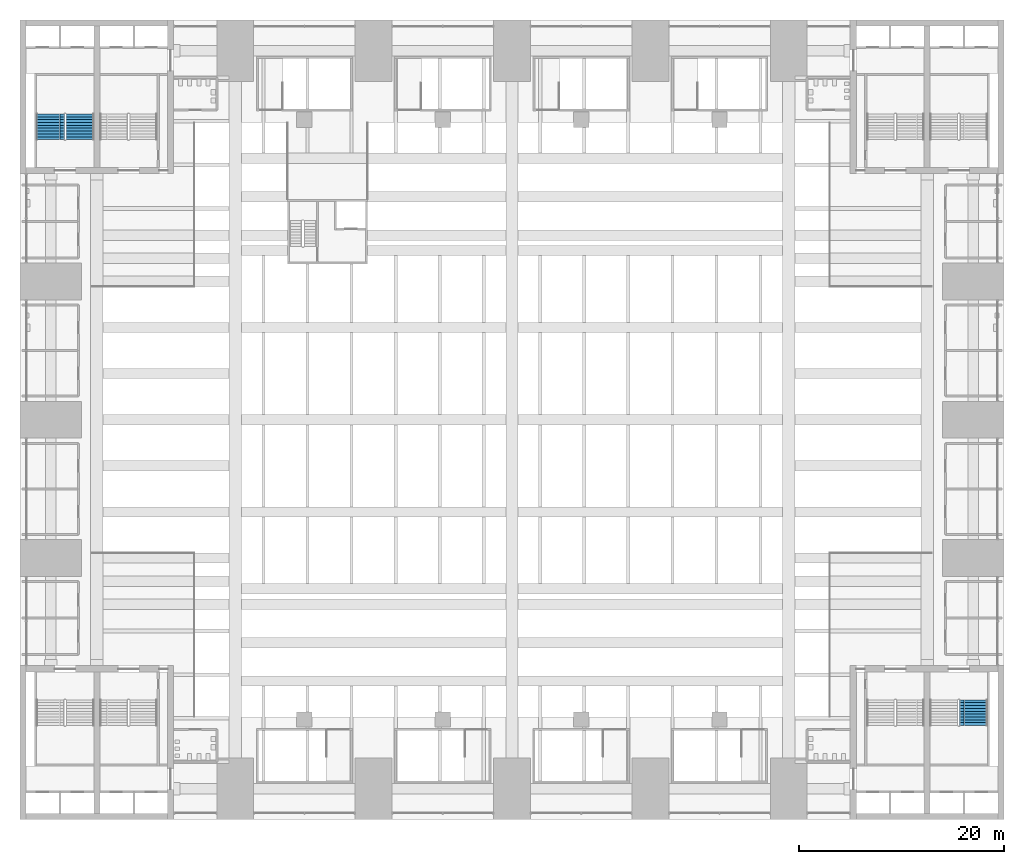
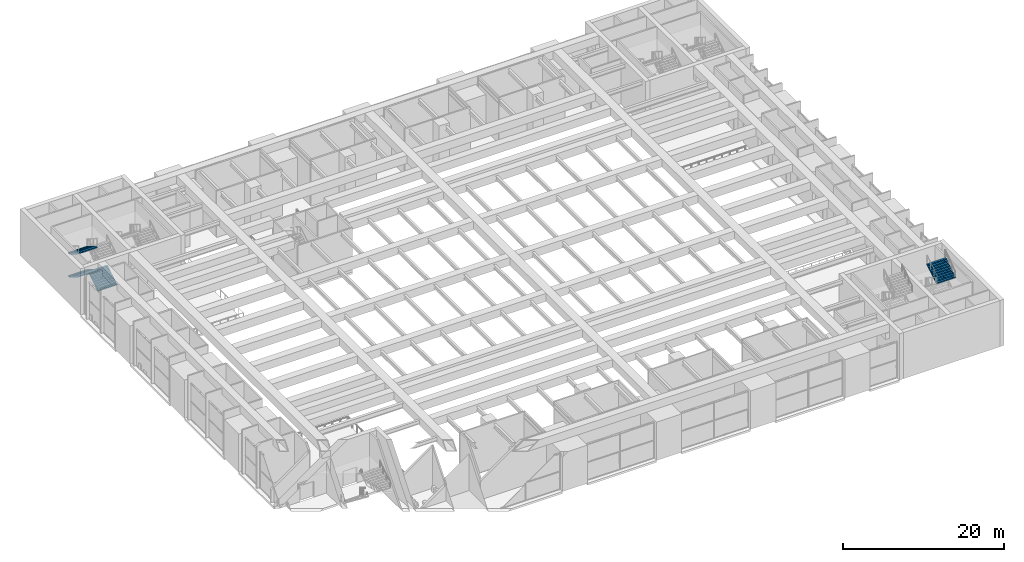
# One storey, part 36 of 45: 4 stair flights, 2 elements without a shape of their own.
"""IFC4 building model written with IfcOpenShell, lengths in metres."""

import ifcopenshell
import ifcopenshell.guid

model = None  # the IFC model being written
_history = None  # IfcOwnerHistory: only IFC2X3 demands one
_inside = {}  # id of a spatial element -> (the spatial element, [elements in it])
_under = {}  # id of a project, library or spatial element -> (it, [spatial elements below it])
_declared = {}  # id of a project -> (the project, [libraries it declares])
_typed = {}  # id of a type object -> (the type object, [elements of that type])
_made_of = {}  # id of a material, layer set ... -> (it, [elements and type objects made of it])


def new_model(schema):
    """Start an empty IFC model of exactly this schema.

    Asked for "IFC4X3", IfcOpenShell would pick the latest addendum, in which some entities
    have other attributes; the version numbers below select the first issue.
    IFC2X3 requires an IfcOwnerHistory on every rooted entity: one is made here for all.
    """
    global model, _history
    if schema == "IFC4X3":
        model = ifcopenshell.file(schema_version=(4, 3, 0, 0))
    else:
        model = ifcopenshell.file(schema=schema)
    _inside.clear()
    _under.clear()
    _declared.clear()
    _typed.clear()
    _made_of.clear()
    _history = None
    if model.schema == "IFC2X3":
        org = make("IfcOrganization", Name="unknown")
        user = make(
            "IfcPersonAndOrganization",
            ThePerson=make("IfcPerson", FamilyName="unknown"),
            TheOrganization=org,
        )
        app = make(
            "IfcApplication",
            ApplicationDeveloper=org,
            Version="unknown",
            ApplicationFullName="unknown",
            ApplicationIdentifier="unknown",
        )
        _history = make(
            "IfcOwnerHistory",
            OwningUser=user,
            OwningApplication=app,
            ChangeAction="ADDED",
            CreationDate=0,
        )
    return model


def make(cls, **values):
    """One entity of the class cls with the attributes given. An attribute that is None is left unset."""
    return model.create_entity(
        cls, **{name: value for name, value in values.items() if value is not None}
    )


def rooted(cls, **values):
    """An entity with a GlobalId (a new one), such as an element, a storey or a relation."""
    return make(cls, GlobalId=ifcopenshell.guid.new(), OwnerHistory=_history, **values)


def si_unit(unit_type, name, prefix=None):
    """IfcSIUnit, for example si_unit("LENGTHUNIT", "METRE", prefix="MILLI")."""
    return make("IfcSIUnit", UnitType=unit_type, Prefix=prefix, Name=name)


def assignment(units):
    """IfcUnitAssignment: the units of a project."""
    return None if units is None else make("IfcUnitAssignment", Units=units)


def point(xyz):
    """IfcCartesianPoint."""
    return None if xyz is None else make("IfcCartesianPoint", Coordinates=xyz)


def direction(xyz):
    """IfcDirection."""
    return None if xyz is None else make("IfcDirection", DirectionRatios=xyz)


def frame(location, z_axis=None, x_axis=None):
    """IfcAxis2Placement3D, a coordinate frame: its origin and axes. An axis left out is left unset."""
    return make(
        "IfcAxis2Placement3D",
        Location=point(location),
        Axis=direction(z_axis),
        RefDirection=direction(x_axis),
    )


def origin():
    """The frame at (0, 0, 0) with its axes left unset."""
    return frame((0.0, 0.0, 0.0))


def place(relative_to, where):
    """IfcLocalPlacement: puts the frame where relative to a parent placement (None: the world)."""
    return make(
        "IfcLocalPlacement", PlacementRelTo=relative_to, RelativePlacement=where
    )


def context(
    kind, dimensions, precision=None, world=None, true_north=None, identifier=None
):
    """IfcGeometricRepresentationContext, for example the 3D "Model" context."""
    return make(
        "IfcGeometricRepresentationContext",
        ContextIdentifier=identifier,
        ContextType=kind,
        CoordinateSpaceDimension=dimensions,
        Precision=precision,
        WorldCoordinateSystem=world,
        TrueNorth=true_north,
    )


def subcontext(parent, identifier, kind, view, scale=None):
    """IfcGeometricRepresentationSubContext, for example "Body" below "Model"."""
    return make(
        "IfcGeometricRepresentationSubContext",
        ContextIdentifier=identifier,
        ContextType=kind,
        ParentContext=parent,
        TargetScale=scale,
        TargetView=view,
    )


def project(units=None, contexts=None):
    """IfcProject with its units and contexts."""
    return rooted(
        "IfcProject",
        Name="project",
        RepresentationContexts=contexts,
        UnitsInContext=assignment(units),
    )


def spatial(cls, under=None, at=None, **own):
    """A site, building, storey or space (cls), placed at a placement, below another one or the project."""
    s = rooted(cls, ObjectPlacement=at, **own)
    if under is not None:
        _under.setdefault(under.id(), (under, []))[1].append(s)
    return s


def polyline(points):
    """IfcPolyline through the points."""
    return make("IfcPolyline", Points=[point(p) for p in points])


def outline(outer, holes=None, kind="AREA"):
    """IfcArbitraryClosedProfileDef: a profile drawn as a closed curve; with holes, ...WithVoids."""
    if holes is None:
        return make("IfcArbitraryClosedProfileDef", ProfileType=kind, OuterCurve=outer)
    return make(
        "IfcArbitraryProfileDefWithVoids",
        ProfileType=kind,
        OuterCurve=outer,
        InnerCurves=holes,
    )


def extrude(swept, where, along, depth):
    """IfcExtrudedAreaSolid: the profile swept, set in the frame where, extruded along a direction by depth."""
    return make(
        "IfcExtrudedAreaSolid",
        SweptArea=swept,
        Position=where,
        ExtrudedDirection=direction(along),
        Depth=depth,
    )


def shape(context_of_items, identifier, shape_type, items):
    """IfcShapeRepresentation: the items that make up one representation, for example the "Body"."""
    return make(
        "IfcShapeRepresentation",
        ContextOfItems=context_of_items,
        RepresentationIdentifier=identifier,
        RepresentationType=shape_type,
        Items=items,
    )


def material(Name=None, Category=None):
    """IfcMaterial."""
    return make("IfcMaterial", Name=Name, Category=Category)


def made_of(thing, what):
    """Note that an element or type object is made of a material, layer set ...; save() writes the relation."""
    if what is not None:
        _made_of.setdefault(what.id(), (what, []))[1].append(thing)
    return thing


def type_object(cls, material=None, **own):
    """A type object (cls), such as IfcWallType, which elements share."""
    return made_of(rooted(cls, **own), material)


def element(
    cls,
    number,
    at=None,
    inside=None,
    cuts=None,
    type_object=None,
    material=None,
    context=None,
    identifier="Body",
    shape_type=None,
    held_by="IfcProductDefinitionShape",
    body=None,
    shapes=None,
    **own,
):
    """One element of the class cls, such as IfcWall. Its Tag is "e" and its number.

    at: its placement. inside: the storey or other place that contains it. cuts: it is an
    opening in that element (IfcRelVoidsElement). A single representation is given by context,
    identifier, shape_type and body (its items); several are given by shapes. held_by: the class
    of the entity that holds the representations. save() writes the other relations.
    """
    e = rooted(cls, Tag="e%d" % number, ObjectPlacement=at, **own)
    if body is not None:
        shapes = [shape(context, identifier, shape_type, body)]
    if shapes is not None:
        e.Representation = make(held_by, Representations=shapes)
    if inside is not None:
        _inside.setdefault(inside.id(), (inside, []))[1].append(e)
    if cuts is not None:
        rooted(
            "IfcRelVoidsElement", RelatingBuildingElement=cuts, RelatedOpeningElement=e
        )
    if type_object is not None:
        _typed.setdefault(type_object.id(), (type_object, []))[1].append(e)
    return made_of(e, material)


def aggregate(whole, parts):
    """IfcRelAggregates: a whole, such as a stair, and the parts it consists of."""
    return rooted("IfcRelAggregates", RelatingObject=whole, RelatedObjects=parts)


def save(model, path):
    """Write the relations noted so far, then the file.

    IfcRelAggregates (storeys below a building ...), IfcRelContainedInSpatialStructure (elements
    in a storey), IfcRelDefinesByType, IfcRelAssociatesMaterial and IfcRelDeclares: one each for
    every whole, place, type object, material and project.
    """
    for whole, parts in _under.values():
        aggregate(whole, parts)
    for where, things in _inside.values():
        rooted(
            "IfcRelContainedInSpatialStructure",
            RelatedElements=things,
            RelatingStructure=where,
        )
    for kind, things in _typed.values():
        rooted("IfcRelDefinesByType", RelatedObjects=things, RelatingType=kind)
    for what, things in _made_of.values():
        rooted("IfcRelAssociatesMaterial", RelatedObjects=things, RelatingMaterial=what)
    for by, libraries in _declared.values():
        rooted("IfcRelDeclares", RelatingContext=by, RelatedDefinitions=libraries)
    model.write(path)


model = new_model("IFC4")

# Units and contexts
model_context = context("Model", 3, precision=1e-05, world=origin(), true_north=direction((0.0, 1.0)))
body_context = subcontext(model_context, "Body", "Model", "MODEL_VIEW")
ifc_project = project(units=[si_unit("LENGTHUNIT", "METRE"), si_unit("AREAUNIT", "SQUARE_METRE"), si_unit("VOLUMEUNIT", "CUBIC_METRE"), si_unit("PLANEANGLEUNIT", "RADIAN"), si_unit("MASSUNIT", "GRAM", prefix="KILO")], contexts=[model_context])

# Site, building, storey
site_placement = place(None, origin())
site = spatial("IfcSite", under=ifc_project, at=site_placement, CompositionType="ELEMENT")
building_placement = place(site_placement, origin())
building = spatial("IfcBuilding", under=site, at=building_placement, Name="Corbelhall Arena Tower", CompositionType="ELEMENT")
storey_placement = place(building_placement, frame((0.0, 0.0, 37.0)))
storey = spatial("IfcBuildingStorey", under=building, at=storey_placement, Name="L05", CompositionType="ELEMENT", Elevation=37.0)

# Stair, stair flights
ifc_material = material(Name="Reinforced concrete C40/50", Category="concrete")
stair_type = type_object("IfcStairType", Name="AR-EXIT-STAIR", PredefinedType="HALF_TURN_STAIR", material=ifc_material)
stair_1_placement = place(storey_placement, origin())
stair_1 = element("IfcStair", 1, at=stair_1_placement, inside=storey, type_object=stair_type, Name="L05 exit stair AS4", PredefinedType="HALF_TURN_STAIR")
stair_flight_type = type_object("IfcStairFlightType", Name="AR-EXIT-FLIGHT", PredefinedType="STRAIGHT", material=ifc_material)
stair_flight_1_placement = place(storey_placement, frame((-42.159912109375, 27.320068359375, 0.0), z_axis=(0.0, 0.0, 1.0), x_axis=(0.0, 1.0, 0.0)))
stair_flight_1 = element("IfcStairFlight", 2, at=stair_flight_1_placement, type_object=stair_flight_type, Name="AS4 flight 1", NumberOfRisers=10, NumberOfTreads=9, PredefinedType="STRAIGHT", RiserHeight=0.175, TreadLength=0.28, context=body_context, shape_type="SweptSolid", body=[
    extrude(outline(polyline([(0.0, 0.0), (0.0, 0.175048828125), (0.280029296875, 0.175048828125), (0.280029296875, 0.35009765625), (0.56005859375, 0.35009765625), (0.56005859375, 0.52490234375), (0.840087890625, 0.52490234375), (0.840087890625, 0.699951171875), (1.1201171875, 0.699951171875), (1.1201171875, 0.875), (1.39990234375, 0.875), (1.39990234375, 1.050048828125), (1.679931640625, 1.050048828125), (1.679931640625, 1.22509765625), (1.9599609375, 1.22509765625), (1.9599609375, 1.39990234375), (2.239990234375, 1.39990234375), (2.239990234375, 1.574951171875), (2.52001953125, 1.574951171875), (2.52001953125, 1.75), (2.52001953125, 1.398193359375), (0.28271484375, 0.0), (0.0, 0.0)])), frame((0.0, 1.35986328125, 0.0), z_axis=(0.0, -1.0, 0.0), x_axis=(1.0, 0.0, 0.0)), (0.0, 0.0, 1.0), 0.449951171875),
    extrude(outline(polyline([(0.0, 0.0), (0.0, 0.175048828125), (0.280029296875, 0.175048828125), (0.280029296875, 0.35009765625), (0.56005859375, 0.35009765625), (0.56005859375, 0.52490234375), (0.840087890625, 0.52490234375), (0.840087890625, 0.699951171875), (1.1201171875, 0.699951171875), (1.1201171875, 0.875), (1.39990234375, 0.875), (1.39990234375, 1.050048828125), (1.679931640625, 1.050048828125), (1.679931640625, 1.22509765625), (1.9599609375, 1.22509765625), (1.9599609375, 1.39990234375), (2.239990234375, 1.39990234375), (2.239990234375, 1.574951171875), (2.52001953125, 1.574951171875), (2.52001953125, 1.75), (2.52001953125, 1.398193359375), (0.28271484375, 0.0), (0.0, 0.0)])), frame((0.0, 0.906005859375, 0.0), z_axis=(0.0, -1.0, 0.0), x_axis=(1.0, 0.0, 0.0)), (0.0, 0.0, 1.0), 0.25537109375),
    extrude(outline(polyline([(0.0, 0.0), (0.0, 0.175048828125), (0.280029296875, 0.175048828125), (0.280029296875, 0.35009765625), (0.56005859375, 0.35009765625), (0.56005859375, 0.52490234375), (0.840087890625, 0.52490234375), (0.840087890625, 0.699951171875), (1.1201171875, 0.699951171875), (1.1201171875, 0.875), (1.39990234375, 0.875), (1.39990234375, 1.050048828125), (1.679931640625, 1.050048828125), (1.679931640625, 1.22509765625), (1.9599609375, 1.22509765625), (1.9599609375, 1.39990234375), (2.239990234375, 1.39990234375), (2.239990234375, 1.574951171875), (2.52001953125, 1.574951171875), (2.52001953125, 1.75), (2.52001953125, 1.398193359375), (0.28271484375, 0.0), (0.0, 0.0)])), frame((0.0, 0.646484375, 0.0), z_axis=(0.0, -1.0, 0.0), x_axis=(1.0, 0.0, 0.0)), (0.0, 0.0, 1.0), 0.25537109375),
    extrude(outline(polyline([(0.0, 0.0), (0.0, 0.175048828125), (0.280029296875, 0.175048828125), (0.280029296875, 0.35009765625), (0.56005859375, 0.35009765625), (0.56005859375, 0.52490234375), (0.840087890625, 0.52490234375), (0.840087890625, 0.699951171875), (1.1201171875, 0.699951171875), (1.1201171875, 0.875), (1.39990234375, 0.875), (1.39990234375, 1.050048828125), (1.679931640625, 1.050048828125), (1.679931640625, 1.22509765625), (1.9599609375, 1.22509765625), (1.9599609375, 1.39990234375), (2.239990234375, 1.39990234375), (2.239990234375, 1.574951171875), (2.52001953125, 1.574951171875), (2.52001953125, 1.75), (2.52001953125, 1.398193359375), (0.28271484375, 0.0), (0.0, 0.0)])), frame((0.0, 0.38720703125, 0.0), z_axis=(0.0, -1.0, 0.0), x_axis=(1.0, 0.0, 0.0)), (0.0, 0.0, 1.0), 0.25537109375),
    extrude(outline(polyline([(0.0, 0.0), (0.0, 0.175048828125), (0.280029296875, 0.175048828125), (0.280029296875, 0.35009765625), (0.56005859375, 0.35009765625), (0.56005859375, 0.52490234375), (0.840087890625, 0.52490234375), (0.840087890625, 0.699951171875), (1.1201171875, 0.699951171875), (1.1201171875, 0.875), (1.39990234375, 0.875), (1.39990234375, 1.050048828125), (1.679931640625, 1.050048828125), (1.679931640625, 1.22509765625), (1.9599609375, 1.22509765625), (1.9599609375, 1.39990234375), (2.239990234375, 1.39990234375), (2.239990234375, 1.574951171875), (2.52001953125, 1.574951171875), (2.52001953125, 1.75), (2.52001953125, 1.398193359375), (0.28271484375, 0.0), (0.0, 0.0)])), frame((0.0, 0.127685546875, 0.0), z_axis=(0.0, -1.0, 0.0), x_axis=(1.0, 0.0, 0.0)), (0.0, 0.0, 1.0), 0.25537109375),
    extrude(outline(polyline([(0.0, 0.0), (0.0, 0.175048828125), (0.280029296875, 0.175048828125), (0.280029296875, 0.35009765625), (0.56005859375, 0.35009765625), (0.56005859375, 0.52490234375), (0.840087890625, 0.52490234375), (0.840087890625, 0.699951171875), (1.1201171875, 0.699951171875), (1.1201171875, 0.875), (1.39990234375, 0.875), (1.39990234375, 1.050048828125), (1.679931640625, 1.050048828125), (1.679931640625, 1.22509765625), (1.9599609375, 1.22509765625), (1.9599609375, 1.39990234375), (2.239990234375, 1.39990234375), (2.239990234375, 1.574951171875), (2.52001953125, 1.574951171875), (2.52001953125, 1.75), (2.52001953125, 1.398193359375), (0.28271484375, 0.0), (0.0, 0.0)])), frame((0.0, -0.131591796875, 0.0), z_axis=(0.0, -1.0, 0.0), x_axis=(1.0, 0.0, 0.0)), (0.0, 0.0, 1.0), 0.25537109375),
    extrude(outline(polyline([(0.0, 0.0), (0.0, 0.175048828125), (0.280029296875, 0.175048828125), (0.280029296875, 0.35009765625), (0.56005859375, 0.35009765625), (0.56005859375, 0.52490234375), (0.840087890625, 0.52490234375), (0.840087890625, 0.699951171875), (1.1201171875, 0.699951171875), (1.1201171875, 0.875), (1.39990234375, 0.875), (1.39990234375, 1.050048828125), (1.679931640625, 1.050048828125), (1.679931640625, 1.22509765625), (1.9599609375, 1.22509765625), (1.9599609375, 1.39990234375), (2.239990234375, 1.39990234375), (2.239990234375, 1.574951171875), (2.52001953125, 1.574951171875), (2.52001953125, 1.75), (2.52001953125, 1.398193359375), (0.28271484375, 0.0), (0.0, 0.0)])), frame((0.0, -0.39111328125, 0.0), z_axis=(0.0, -1.0, 0.0), x_axis=(1.0, 0.0, 0.0)), (0.0, 0.0, 1.0), 0.25537109375),
    extrude(outline(polyline([(0.0, 0.0), (0.0, 0.175048828125), (0.280029296875, 0.175048828125), (0.280029296875, 0.35009765625), (0.56005859375, 0.35009765625), (0.56005859375, 0.52490234375), (0.840087890625, 0.52490234375), (0.840087890625, 0.699951171875), (1.1201171875, 0.699951171875), (1.1201171875, 0.875), (1.39990234375, 0.875), (1.39990234375, 1.050048828125), (1.679931640625, 1.050048828125), (1.679931640625, 1.22509765625), (1.9599609375, 1.22509765625), (1.9599609375, 1.39990234375), (2.239990234375, 1.39990234375), (2.239990234375, 1.574951171875), (2.52001953125, 1.574951171875), (2.52001953125, 1.75), (2.52001953125, 1.398193359375), (0.28271484375, 0.0), (0.0, 0.0)])), frame((0.0, -0.650634765625, 0.0), z_axis=(0.0, -1.0, 0.0), x_axis=(1.0, 0.0, 0.0)), (0.0, 0.0, 1.0), 0.25537109375),
    extrude(outline(polyline([(0.0, 0.0), (0.0, 0.175048828125), (0.280029296875, 0.175048828125), (0.280029296875, 0.35009765625), (0.56005859375, 0.35009765625), (0.56005859375, 0.52490234375), (0.840087890625, 0.52490234375), (0.840087890625, 0.699951171875), (1.1201171875, 0.699951171875), (1.1201171875, 0.875), (1.39990234375, 0.875), (1.39990234375, 1.050048828125), (1.679931640625, 1.050048828125), (1.679931640625, 1.22509765625), (1.9599609375, 1.22509765625), (1.9599609375, 1.39990234375), (2.239990234375, 1.39990234375), (2.239990234375, 1.574951171875), (2.52001953125, 1.574951171875), (2.52001953125, 1.75), (2.52001953125, 1.398193359375), (0.28271484375, 0.0), (0.0, 0.0)])), frame((0.0, -0.909912109375, 0.0), z_axis=(0.0, -1.0, 0.0), x_axis=(1.0, 0.0, 0.0)), (0.0, 0.0, 1.0), 0.449951171875),
])
stair_flight_2_placement = place(storey_placement, frame((-45.030029296875, 29.840087890625, 1.75), z_axis=(0.0, 0.0, 1.0), x_axis=(0.0, -1.0, 0.0)))
stair_flight_2 = element("IfcStairFlight", 3, at=stair_flight_2_placement, type_object=stair_flight_type, Name="AS4 flight 2", NumberOfRisers=10, NumberOfTreads=9, PredefinedType="STRAIGHT", RiserHeight=0.175, TreadLength=0.28, context=body_context, shape_type="SweptSolid", body=[
    extrude(outline(polyline([(0.0, 0.0), (0.0, 0.175048828125), (0.280029296875, 0.175048828125), (0.280029296875, 0.35009765625), (0.56005859375, 0.35009765625), (0.56005859375, 0.52490234375), (0.840087890625, 0.52490234375), (0.840087890625, 0.699951171875), (1.1201171875, 0.699951171875), (1.1201171875, 0.875), (1.39990234375, 0.875), (1.39990234375, 1.050048828125), (1.679931640625, 1.050048828125), (1.679931640625, 1.22509765625), (1.9599609375, 1.22509765625), (1.9599609375, 1.39990234375), (2.239990234375, 1.39990234375), (2.239990234375, 1.574951171875), (2.52001953125, 1.574951171875), (2.52001953125, 1.75), (2.52001953125, 1.398193359375), (0.28271484375, 0.0), (0.0, 0.0)])), frame((0.0, 1.35986328125, 0.0), z_axis=(0.0, -1.0, 0.0), x_axis=(1.0, 0.0, 0.0)), (0.0, 0.0, 1.0), 0.449951171875),
    extrude(outline(polyline([(0.0, 0.0), (0.0, 0.175048828125), (0.280029296875, 0.175048828125), (0.280029296875, 0.35009765625), (0.56005859375, 0.35009765625), (0.56005859375, 0.52490234375), (0.840087890625, 0.52490234375), (0.840087890625, 0.699951171875), (1.1201171875, 0.699951171875), (1.1201171875, 0.875), (1.39990234375, 0.875), (1.39990234375, 1.050048828125), (1.679931640625, 1.050048828125), (1.679931640625, 1.22509765625), (1.9599609375, 1.22509765625), (1.9599609375, 1.39990234375), (2.239990234375, 1.39990234375), (2.239990234375, 1.574951171875), (2.52001953125, 1.574951171875), (2.52001953125, 1.75), (2.52001953125, 1.398193359375), (0.28271484375, 0.0), (0.0, 0.0)])), frame((0.0, 0.906005859375, 0.0), z_axis=(0.0, -1.0, 0.0), x_axis=(1.0, 0.0, 0.0)), (0.0, 0.0, 1.0), 0.25537109375),
    extrude(outline(polyline([(0.0, 0.0), (0.0, 0.175048828125), (0.280029296875, 0.175048828125), (0.280029296875, 0.35009765625), (0.56005859375, 0.35009765625), (0.56005859375, 0.52490234375), (0.840087890625, 0.52490234375), (0.840087890625, 0.699951171875), (1.1201171875, 0.699951171875), (1.1201171875, 0.875), (1.39990234375, 0.875), (1.39990234375, 1.050048828125), (1.679931640625, 1.050048828125), (1.679931640625, 1.22509765625), (1.9599609375, 1.22509765625), (1.9599609375, 1.39990234375), (2.239990234375, 1.39990234375), (2.239990234375, 1.574951171875), (2.52001953125, 1.574951171875), (2.52001953125, 1.75), (2.52001953125, 1.398193359375), (0.28271484375, 0.0), (0.0, 0.0)])), frame((0.0, 0.646484375, 0.0), z_axis=(0.0, -1.0, 0.0), x_axis=(1.0, 0.0, 0.0)), (0.0, 0.0, 1.0), 0.25537109375),
    extrude(outline(polyline([(0.0, 0.0), (0.0, 0.175048828125), (0.280029296875, 0.175048828125), (0.280029296875, 0.35009765625), (0.56005859375, 0.35009765625), (0.56005859375, 0.52490234375), (0.840087890625, 0.52490234375), (0.840087890625, 0.699951171875), (1.1201171875, 0.699951171875), (1.1201171875, 0.875), (1.39990234375, 0.875), (1.39990234375, 1.050048828125), (1.679931640625, 1.050048828125), (1.679931640625, 1.22509765625), (1.9599609375, 1.22509765625), (1.9599609375, 1.39990234375), (2.239990234375, 1.39990234375), (2.239990234375, 1.574951171875), (2.52001953125, 1.574951171875), (2.52001953125, 1.75), (2.52001953125, 1.398193359375), (0.28271484375, 0.0), (0.0, 0.0)])), frame((0.0, 0.38720703125, 0.0), z_axis=(0.0, -1.0, 0.0), x_axis=(1.0, 0.0, 0.0)), (0.0, 0.0, 1.0), 0.25537109375),
    extrude(outline(polyline([(0.0, 0.0), (0.0, 0.175048828125), (0.280029296875, 0.175048828125), (0.280029296875, 0.35009765625), (0.56005859375, 0.35009765625), (0.56005859375, 0.52490234375), (0.840087890625, 0.52490234375), (0.840087890625, 0.699951171875), (1.1201171875, 0.699951171875), (1.1201171875, 0.875), (1.39990234375, 0.875), (1.39990234375, 1.050048828125), (1.679931640625, 1.050048828125), (1.679931640625, 1.22509765625), (1.9599609375, 1.22509765625), (1.9599609375, 1.39990234375), (2.239990234375, 1.39990234375), (2.239990234375, 1.574951171875), (2.52001953125, 1.574951171875), (2.52001953125, 1.75), (2.52001953125, 1.398193359375), (0.28271484375, 0.0), (0.0, 0.0)])), frame((0.0, 0.127685546875, 0.0), z_axis=(0.0, -1.0, 0.0), x_axis=(1.0, 0.0, 0.0)), (0.0, 0.0, 1.0), 0.25537109375),
    extrude(outline(polyline([(0.0, 0.0), (0.0, 0.175048828125), (0.280029296875, 0.175048828125), (0.280029296875, 0.35009765625), (0.56005859375, 0.35009765625), (0.56005859375, 0.52490234375), (0.840087890625, 0.52490234375), (0.840087890625, 0.699951171875), (1.1201171875, 0.699951171875), (1.1201171875, 0.875), (1.39990234375, 0.875), (1.39990234375, 1.050048828125), (1.679931640625, 1.050048828125), (1.679931640625, 1.22509765625), (1.9599609375, 1.22509765625), (1.9599609375, 1.39990234375), (2.239990234375, 1.39990234375), (2.239990234375, 1.574951171875), (2.52001953125, 1.574951171875), (2.52001953125, 1.75), (2.52001953125, 1.398193359375), (0.28271484375, 0.0), (0.0, 0.0)])), frame((0.0, -0.131591796875, 0.0), z_axis=(0.0, -1.0, 0.0), x_axis=(1.0, 0.0, 0.0)), (0.0, 0.0, 1.0), 0.25537109375),
    extrude(outline(polyline([(0.0, 0.0), (0.0, 0.175048828125), (0.280029296875, 0.175048828125), (0.280029296875, 0.35009765625), (0.56005859375, 0.35009765625), (0.56005859375, 0.52490234375), (0.840087890625, 0.52490234375), (0.840087890625, 0.699951171875), (1.1201171875, 0.699951171875), (1.1201171875, 0.875), (1.39990234375, 0.875), (1.39990234375, 1.050048828125), (1.679931640625, 1.050048828125), (1.679931640625, 1.22509765625), (1.9599609375, 1.22509765625), (1.9599609375, 1.39990234375), (2.239990234375, 1.39990234375), (2.239990234375, 1.574951171875), (2.52001953125, 1.574951171875), (2.52001953125, 1.75), (2.52001953125, 1.398193359375), (0.28271484375, 0.0), (0.0, 0.0)])), frame((0.0, -0.39111328125, 0.0), z_axis=(0.0, -1.0, 0.0), x_axis=(1.0, 0.0, 0.0)), (0.0, 0.0, 1.0), 0.25537109375),
    extrude(outline(polyline([(0.0, 0.0), (0.0, 0.175048828125), (0.280029296875, 0.175048828125), (0.280029296875, 0.35009765625), (0.56005859375, 0.35009765625), (0.56005859375, 0.52490234375), (0.840087890625, 0.52490234375), (0.840087890625, 0.699951171875), (1.1201171875, 0.699951171875), (1.1201171875, 0.875), (1.39990234375, 0.875), (1.39990234375, 1.050048828125), (1.679931640625, 1.050048828125), (1.679931640625, 1.22509765625), (1.9599609375, 1.22509765625), (1.9599609375, 1.39990234375), (2.239990234375, 1.39990234375), (2.239990234375, 1.574951171875), (2.52001953125, 1.574951171875), (2.52001953125, 1.75), (2.52001953125, 1.398193359375), (0.28271484375, 0.0), (0.0, 0.0)])), frame((0.0, -0.650634765625, 0.0), z_axis=(0.0, -1.0, 0.0), x_axis=(1.0, 0.0, 0.0)), (0.0, 0.0, 1.0), 0.25537109375),
    extrude(outline(polyline([(0.0, 0.0), (0.0, 0.175048828125), (0.280029296875, 0.175048828125), (0.280029296875, 0.35009765625), (0.56005859375, 0.35009765625), (0.56005859375, 0.52490234375), (0.840087890625, 0.52490234375), (0.840087890625, 0.699951171875), (1.1201171875, 0.699951171875), (1.1201171875, 0.875), (1.39990234375, 0.875), (1.39990234375, 1.050048828125), (1.679931640625, 1.050048828125), (1.679931640625, 1.22509765625), (1.9599609375, 1.22509765625), (1.9599609375, 1.39990234375), (2.239990234375, 1.39990234375), (2.239990234375, 1.574951171875), (2.52001953125, 1.574951171875), (2.52001953125, 1.75), (2.52001953125, 1.398193359375), (0.28271484375, 0.0), (0.0, 0.0)])), frame((0.0, -0.909912109375, 0.0), z_axis=(0.0, -1.0, 0.0), x_axis=(1.0, 0.0, 0.0)), (0.0, 0.0, 1.0), 0.449951171875),
])
stair_flight_3_placement = place(storey_placement, frame((-45.030029296875, 29.840087890625, 5.25), z_axis=(0.0, 0.0, 1.0), x_axis=(0.0, -1.0, 0.0)))
stair_flight_3 = element("IfcStairFlight", 4, at=stair_flight_3_placement, type_object=stair_flight_type, Name="AS4 flight 4", NumberOfRisers=10, NumberOfTreads=9, PredefinedType="STRAIGHT", RiserHeight=0.175, TreadLength=0.28, context=body_context, shape_type="SweptSolid", body=[
    extrude(outline(polyline([(0.0, 0.0), (0.0, 0.175048828125), (0.280029296875, 0.175048828125), (0.280029296875, 0.35009765625), (0.56005859375, 0.35009765625), (0.56005859375, 0.52490234375), (0.840087890625, 0.52490234375), (0.840087890625, 0.699951171875), (1.1201171875, 0.699951171875), (1.1201171875, 0.875), (1.39990234375, 0.875), (1.39990234375, 1.050048828125), (1.679931640625, 1.050048828125), (1.679931640625, 1.22509765625), (1.9599609375, 1.22509765625), (1.9599609375, 1.39990234375), (2.239990234375, 1.39990234375), (2.239990234375, 1.574951171875), (2.52001953125, 1.574951171875), (2.52001953125, 1.75), (2.52001953125, 1.398193359375), (0.28271484375, 0.0), (0.0, 0.0)])), frame((0.0, 1.35986328125, 0.0), z_axis=(0.0, -1.0, 0.0), x_axis=(1.0, 0.0, 0.0)), (0.0, 0.0, 1.0), 0.449951171875),
    extrude(outline(polyline([(0.0, 0.0), (0.0, 0.175048828125), (0.280029296875, 0.175048828125), (0.280029296875, 0.35009765625), (0.56005859375, 0.35009765625), (0.56005859375, 0.52490234375), (0.840087890625, 0.52490234375), (0.840087890625, 0.699951171875), (1.1201171875, 0.699951171875), (1.1201171875, 0.875), (1.39990234375, 0.875), (1.39990234375, 1.050048828125), (1.679931640625, 1.050048828125), (1.679931640625, 1.22509765625), (1.9599609375, 1.22509765625), (1.9599609375, 1.39990234375), (2.239990234375, 1.39990234375), (2.239990234375, 1.574951171875), (2.52001953125, 1.574951171875), (2.52001953125, 1.75), (2.52001953125, 1.398193359375), (0.28271484375, 0.0), (0.0, 0.0)])), frame((0.0, 0.906005859375, 0.0), z_axis=(0.0, -1.0, 0.0), x_axis=(1.0, 0.0, 0.0)), (0.0, 0.0, 1.0), 0.25537109375),
    extrude(outline(polyline([(0.0, 0.0), (0.0, 0.175048828125), (0.280029296875, 0.175048828125), (0.280029296875, 0.35009765625), (0.56005859375, 0.35009765625), (0.56005859375, 0.52490234375), (0.840087890625, 0.52490234375), (0.840087890625, 0.699951171875), (1.1201171875, 0.699951171875), (1.1201171875, 0.875), (1.39990234375, 0.875), (1.39990234375, 1.050048828125), (1.679931640625, 1.050048828125), (1.679931640625, 1.22509765625), (1.9599609375, 1.22509765625), (1.9599609375, 1.39990234375), (2.239990234375, 1.39990234375), (2.239990234375, 1.574951171875), (2.52001953125, 1.574951171875), (2.52001953125, 1.75), (2.52001953125, 1.398193359375), (0.28271484375, 0.0), (0.0, 0.0)])), frame((0.0, 0.646484375, 0.0), z_axis=(0.0, -1.0, 0.0), x_axis=(1.0, 0.0, 0.0)), (0.0, 0.0, 1.0), 0.25537109375),
    extrude(outline(polyline([(0.0, 0.0), (0.0, 0.175048828125), (0.280029296875, 0.175048828125), (0.280029296875, 0.35009765625), (0.56005859375, 0.35009765625), (0.56005859375, 0.52490234375), (0.840087890625, 0.52490234375), (0.840087890625, 0.699951171875), (1.1201171875, 0.699951171875), (1.1201171875, 0.875), (1.39990234375, 0.875), (1.39990234375, 1.050048828125), (1.679931640625, 1.050048828125), (1.679931640625, 1.22509765625), (1.9599609375, 1.22509765625), (1.9599609375, 1.39990234375), (2.239990234375, 1.39990234375), (2.239990234375, 1.574951171875), (2.52001953125, 1.574951171875), (2.52001953125, 1.75), (2.52001953125, 1.398193359375), (0.28271484375, 0.0), (0.0, 0.0)])), frame((0.0, 0.38720703125, 0.0), z_axis=(0.0, -1.0, 0.0), x_axis=(1.0, 0.0, 0.0)), (0.0, 0.0, 1.0), 0.25537109375),
    extrude(outline(polyline([(0.0, 0.0), (0.0, 0.175048828125), (0.280029296875, 0.175048828125), (0.280029296875, 0.35009765625), (0.56005859375, 0.35009765625), (0.56005859375, 0.52490234375), (0.840087890625, 0.52490234375), (0.840087890625, 0.699951171875), (1.1201171875, 0.699951171875), (1.1201171875, 0.875), (1.39990234375, 0.875), (1.39990234375, 1.050048828125), (1.679931640625, 1.050048828125), (1.679931640625, 1.22509765625), (1.9599609375, 1.22509765625), (1.9599609375, 1.39990234375), (2.239990234375, 1.39990234375), (2.239990234375, 1.574951171875), (2.52001953125, 1.574951171875), (2.52001953125, 1.75), (2.52001953125, 1.398193359375), (0.28271484375, 0.0), (0.0, 0.0)])), frame((0.0, 0.127685546875, 0.0), z_axis=(0.0, -1.0, 0.0), x_axis=(1.0, 0.0, 0.0)), (0.0, 0.0, 1.0), 0.25537109375),
    extrude(outline(polyline([(0.0, 0.0), (0.0, 0.175048828125), (0.280029296875, 0.175048828125), (0.280029296875, 0.35009765625), (0.56005859375, 0.35009765625), (0.56005859375, 0.52490234375), (0.840087890625, 0.52490234375), (0.840087890625, 0.699951171875), (1.1201171875, 0.699951171875), (1.1201171875, 0.875), (1.39990234375, 0.875), (1.39990234375, 1.050048828125), (1.679931640625, 1.050048828125), (1.679931640625, 1.22509765625), (1.9599609375, 1.22509765625), (1.9599609375, 1.39990234375), (2.239990234375, 1.39990234375), (2.239990234375, 1.574951171875), (2.52001953125, 1.574951171875), (2.52001953125, 1.75), (2.52001953125, 1.398193359375), (0.28271484375, 0.0), (0.0, 0.0)])), frame((0.0, -0.131591796875, 0.0), z_axis=(0.0, -1.0, 0.0), x_axis=(1.0, 0.0, 0.0)), (0.0, 0.0, 1.0), 0.25537109375),
    extrude(outline(polyline([(0.0, 0.0), (0.0, 0.175048828125), (0.280029296875, 0.175048828125), (0.280029296875, 0.35009765625), (0.56005859375, 0.35009765625), (0.56005859375, 0.52490234375), (0.840087890625, 0.52490234375), (0.840087890625, 0.699951171875), (1.1201171875, 0.699951171875), (1.1201171875, 0.875), (1.39990234375, 0.875), (1.39990234375, 1.050048828125), (1.679931640625, 1.050048828125), (1.679931640625, 1.22509765625), (1.9599609375, 1.22509765625), (1.9599609375, 1.39990234375), (2.239990234375, 1.39990234375), (2.239990234375, 1.574951171875), (2.52001953125, 1.574951171875), (2.52001953125, 1.75), (2.52001953125, 1.398193359375), (0.28271484375, 0.0), (0.0, 0.0)])), frame((0.0, -0.39111328125, 0.0), z_axis=(0.0, -1.0, 0.0), x_axis=(1.0, 0.0, 0.0)), (0.0, 0.0, 1.0), 0.25537109375),
    extrude(outline(polyline([(0.0, 0.0), (0.0, 0.175048828125), (0.280029296875, 0.175048828125), (0.280029296875, 0.35009765625), (0.56005859375, 0.35009765625), (0.56005859375, 0.52490234375), (0.840087890625, 0.52490234375), (0.840087890625, 0.699951171875), (1.1201171875, 0.699951171875), (1.1201171875, 0.875), (1.39990234375, 0.875), (1.39990234375, 1.050048828125), (1.679931640625, 1.050048828125), (1.679931640625, 1.22509765625), (1.9599609375, 1.22509765625), (1.9599609375, 1.39990234375), (2.239990234375, 1.39990234375), (2.239990234375, 1.574951171875), (2.52001953125, 1.574951171875), (2.52001953125, 1.75), (2.52001953125, 1.398193359375), (0.28271484375, 0.0), (0.0, 0.0)])), frame((0.0, -0.650634765625, 0.0), z_axis=(0.0, -1.0, 0.0), x_axis=(1.0, 0.0, 0.0)), (0.0, 0.0, 1.0), 0.25537109375),
    extrude(outline(polyline([(0.0, 0.0), (0.0, 0.175048828125), (0.280029296875, 0.175048828125), (0.280029296875, 0.35009765625), (0.56005859375, 0.35009765625), (0.56005859375, 0.52490234375), (0.840087890625, 0.52490234375), (0.840087890625, 0.699951171875), (1.1201171875, 0.699951171875), (1.1201171875, 0.875), (1.39990234375, 0.875), (1.39990234375, 1.050048828125), (1.679931640625, 1.050048828125), (1.679931640625, 1.22509765625), (1.9599609375, 1.22509765625), (1.9599609375, 1.39990234375), (2.239990234375, 1.39990234375), (2.239990234375, 1.574951171875), (2.52001953125, 1.574951171875), (2.52001953125, 1.75), (2.52001953125, 1.398193359375), (0.28271484375, 0.0), (0.0, 0.0)])), frame((0.0, -0.909912109375, 0.0), z_axis=(0.0, -1.0, 0.0), x_axis=(1.0, 0.0, 0.0)), (0.0, 0.0, 1.0), 0.449951171875),
])
aggregate(stair_1, [stair_flight_1, stair_flight_2, stair_flight_3])

# Stair, stair flight
stair_2_placement = place(storey_placement, origin())
stair_2 = element("IfcStair", 5, at=stair_2_placement, inside=storey, type_object=stair_type, Name="L05 exit stair AS6", PredefinedType="HALF_TURN_STAIR")
stair_flight_4_placement = place(storey_placement, frame((45.030029296875, -29.840087890625, 5.25), z_axis=(0.0, 0.0, 1.0), x_axis=(0.0, 1.0, 0.0)))
stair_flight_4 = element("IfcStairFlight", 6, at=stair_flight_4_placement, type_object=stair_flight_type, Name="AS6 flight 4", NumberOfRisers=10, NumberOfTreads=9, PredefinedType="STRAIGHT", RiserHeight=0.175, TreadLength=0.28, context=body_context, shape_type="SweptSolid", body=[
    extrude(outline(polyline([(0.0, 0.0), (0.0, 0.175048828125), (0.280029296875, 0.175048828125), (0.280029296875, 0.35009765625), (0.56005859375, 0.35009765625), (0.56005859375, 0.52490234375), (0.840087890625, 0.52490234375), (0.840087890625, 0.699951171875), (1.1201171875, 0.699951171875), (1.1201171875, 0.875), (1.39990234375, 0.875), (1.39990234375, 1.050048828125), (1.679931640625, 1.050048828125), (1.679931640625, 1.22509765625), (1.9599609375, 1.22509765625), (1.9599609375, 1.39990234375), (2.239990234375, 1.39990234375), (2.239990234375, 1.574951171875), (2.52001953125, 1.574951171875), (2.52001953125, 1.75), (2.52001953125, 1.398193359375), (0.28271484375, 0.0), (0.0, 0.0)])), frame((0.0, 1.35986328125, 0.0), z_axis=(0.0, -1.0, 0.0), x_axis=(1.0, 0.0, 0.0)), (0.0, 0.0, 1.0), 0.449951171875),
    extrude(outline(polyline([(0.0, 0.0), (0.0, 0.175048828125), (0.280029296875, 0.175048828125), (0.280029296875, 0.35009765625), (0.56005859375, 0.35009765625), (0.56005859375, 0.52490234375), (0.840087890625, 0.52490234375), (0.840087890625, 0.699951171875), (1.1201171875, 0.699951171875), (1.1201171875, 0.875), (1.39990234375, 0.875), (1.39990234375, 1.050048828125), (1.679931640625, 1.050048828125), (1.679931640625, 1.22509765625), (1.9599609375, 1.22509765625), (1.9599609375, 1.39990234375), (2.239990234375, 1.39990234375), (2.239990234375, 1.574951171875), (2.52001953125, 1.574951171875), (2.52001953125, 1.75), (2.52001953125, 1.398193359375), (0.28271484375, 0.0), (0.0, 0.0)])), frame((0.0, 0.906005859375, 0.0), z_axis=(0.0, -1.0, 0.0), x_axis=(1.0, 0.0, 0.0)), (0.0, 0.0, 1.0), 0.25537109375),
    extrude(outline(polyline([(0.0, 0.0), (0.0, 0.175048828125), (0.280029296875, 0.175048828125), (0.280029296875, 0.35009765625), (0.56005859375, 0.35009765625), (0.56005859375, 0.52490234375), (0.840087890625, 0.52490234375), (0.840087890625, 0.699951171875), (1.1201171875, 0.699951171875), (1.1201171875, 0.875), (1.39990234375, 0.875), (1.39990234375, 1.050048828125), (1.679931640625, 1.050048828125), (1.679931640625, 1.22509765625), (1.9599609375, 1.22509765625), (1.9599609375, 1.39990234375), (2.239990234375, 1.39990234375), (2.239990234375, 1.574951171875), (2.52001953125, 1.574951171875), (2.52001953125, 1.75), (2.52001953125, 1.398193359375), (0.28271484375, 0.0), (0.0, 0.0)])), frame((0.0, 0.646484375, 0.0), z_axis=(0.0, -1.0, 0.0), x_axis=(1.0, 0.0, 0.0)), (0.0, 0.0, 1.0), 0.25537109375),
    extrude(outline(polyline([(0.0, 0.0), (0.0, 0.175048828125), (0.280029296875, 0.175048828125), (0.280029296875, 0.35009765625), (0.56005859375, 0.35009765625), (0.56005859375, 0.52490234375), (0.840087890625, 0.52490234375), (0.840087890625, 0.699951171875), (1.1201171875, 0.699951171875), (1.1201171875, 0.875), (1.39990234375, 0.875), (1.39990234375, 1.050048828125), (1.679931640625, 1.050048828125), (1.679931640625, 1.22509765625), (1.9599609375, 1.22509765625), (1.9599609375, 1.39990234375), (2.239990234375, 1.39990234375), (2.239990234375, 1.574951171875), (2.52001953125, 1.574951171875), (2.52001953125, 1.75), (2.52001953125, 1.398193359375), (0.28271484375, 0.0), (0.0, 0.0)])), frame((0.0, 0.38720703125, 0.0), z_axis=(0.0, -1.0, 0.0), x_axis=(1.0, 0.0, 0.0)), (0.0, 0.0, 1.0), 0.25537109375),
    extrude(outline(polyline([(0.0, 0.0), (0.0, 0.175048828125), (0.280029296875, 0.175048828125), (0.280029296875, 0.35009765625), (0.56005859375, 0.35009765625), (0.56005859375, 0.52490234375), (0.840087890625, 0.52490234375), (0.840087890625, 0.699951171875), (1.1201171875, 0.699951171875), (1.1201171875, 0.875), (1.39990234375, 0.875), (1.39990234375, 1.050048828125), (1.679931640625, 1.050048828125), (1.679931640625, 1.22509765625), (1.9599609375, 1.22509765625), (1.9599609375, 1.39990234375), (2.239990234375, 1.39990234375), (2.239990234375, 1.574951171875), (2.52001953125, 1.574951171875), (2.52001953125, 1.75), (2.52001953125, 1.398193359375), (0.28271484375, 0.0), (0.0, 0.0)])), frame((0.0, 0.127685546875, 0.0), z_axis=(0.0, -1.0, 0.0), x_axis=(1.0, 0.0, 0.0)), (0.0, 0.0, 1.0), 0.25537109375),
    extrude(outline(polyline([(0.0, 0.0), (0.0, 0.175048828125), (0.280029296875, 0.175048828125), (0.280029296875, 0.35009765625), (0.56005859375, 0.35009765625), (0.56005859375, 0.52490234375), (0.840087890625, 0.52490234375), (0.840087890625, 0.699951171875), (1.1201171875, 0.699951171875), (1.1201171875, 0.875), (1.39990234375, 0.875), (1.39990234375, 1.050048828125), (1.679931640625, 1.050048828125), (1.679931640625, 1.22509765625), (1.9599609375, 1.22509765625), (1.9599609375, 1.39990234375), (2.239990234375, 1.39990234375), (2.239990234375, 1.574951171875), (2.52001953125, 1.574951171875), (2.52001953125, 1.75), (2.52001953125, 1.398193359375), (0.28271484375, 0.0), (0.0, 0.0)])), frame((0.0, -0.131591796875, 0.0), z_axis=(0.0, -1.0, 0.0), x_axis=(1.0, 0.0, 0.0)), (0.0, 0.0, 1.0), 0.25537109375),
    extrude(outline(polyline([(0.0, 0.0), (0.0, 0.175048828125), (0.280029296875, 0.175048828125), (0.280029296875, 0.35009765625), (0.56005859375, 0.35009765625), (0.56005859375, 0.52490234375), (0.840087890625, 0.52490234375), (0.840087890625, 0.699951171875), (1.1201171875, 0.699951171875), (1.1201171875, 0.875), (1.39990234375, 0.875), (1.39990234375, 1.050048828125), (1.679931640625, 1.050048828125), (1.679931640625, 1.22509765625), (1.9599609375, 1.22509765625), (1.9599609375, 1.39990234375), (2.239990234375, 1.39990234375), (2.239990234375, 1.574951171875), (2.52001953125, 1.574951171875), (2.52001953125, 1.75), (2.52001953125, 1.398193359375), (0.28271484375, 0.0), (0.0, 0.0)])), frame((0.0, -0.39111328125, 0.0), z_axis=(0.0, -1.0, 0.0), x_axis=(1.0, 0.0, 0.0)), (0.0, 0.0, 1.0), 0.25537109375),
    extrude(outline(polyline([(0.0, 0.0), (0.0, 0.175048828125), (0.280029296875, 0.175048828125), (0.280029296875, 0.35009765625), (0.56005859375, 0.35009765625), (0.56005859375, 0.52490234375), (0.840087890625, 0.52490234375), (0.840087890625, 0.699951171875), (1.1201171875, 0.699951171875), (1.1201171875, 0.875), (1.39990234375, 0.875), (1.39990234375, 1.050048828125), (1.679931640625, 1.050048828125), (1.679931640625, 1.22509765625), (1.9599609375, 1.22509765625), (1.9599609375, 1.39990234375), (2.239990234375, 1.39990234375), (2.239990234375, 1.574951171875), (2.52001953125, 1.574951171875), (2.52001953125, 1.75), (2.52001953125, 1.398193359375), (0.28271484375, 0.0), (0.0, 0.0)])), frame((0.0, -0.650634765625, 0.0), z_axis=(0.0, -1.0, 0.0), x_axis=(1.0, 0.0, 0.0)), (0.0, 0.0, 1.0), 0.25537109375),
    extrude(outline(polyline([(0.0, 0.0), (0.0, 0.175048828125), (0.280029296875, 0.175048828125), (0.280029296875, 0.35009765625), (0.56005859375, 0.35009765625), (0.56005859375, 0.52490234375), (0.840087890625, 0.52490234375), (0.840087890625, 0.699951171875), (1.1201171875, 0.699951171875), (1.1201171875, 0.875), (1.39990234375, 0.875), (1.39990234375, 1.050048828125), (1.679931640625, 1.050048828125), (1.679931640625, 1.22509765625), (1.9599609375, 1.22509765625), (1.9599609375, 1.39990234375), (2.239990234375, 1.39990234375), (2.239990234375, 1.574951171875), (2.52001953125, 1.574951171875), (2.52001953125, 1.75), (2.52001953125, 1.398193359375), (0.28271484375, 0.0), (0.0, 0.0)])), frame((0.0, -0.909912109375, 0.0), z_axis=(0.0, -1.0, 0.0), x_axis=(1.0, 0.0, 0.0)), (0.0, 0.0, 1.0), 0.449951171875),
])
aggregate(stair_2, [stair_flight_4])

save(model, "model.ifc")
